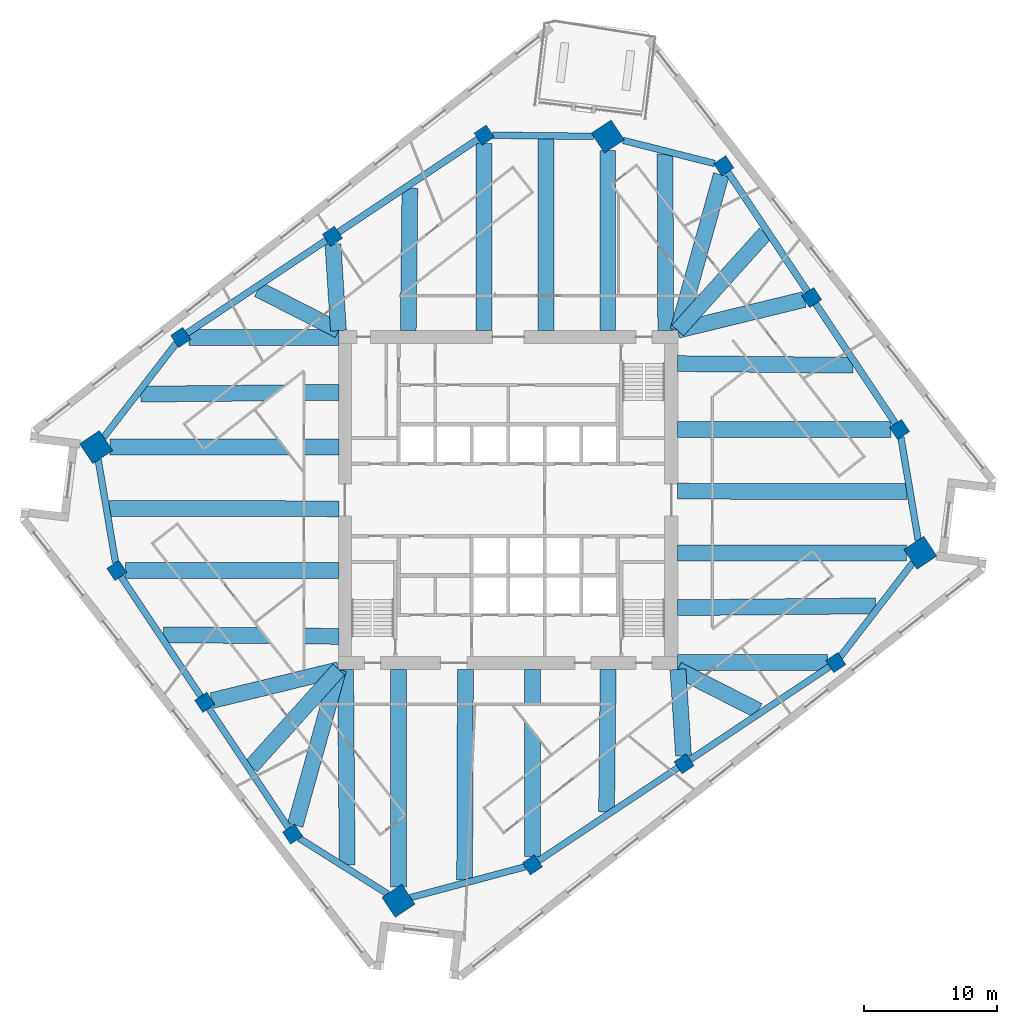
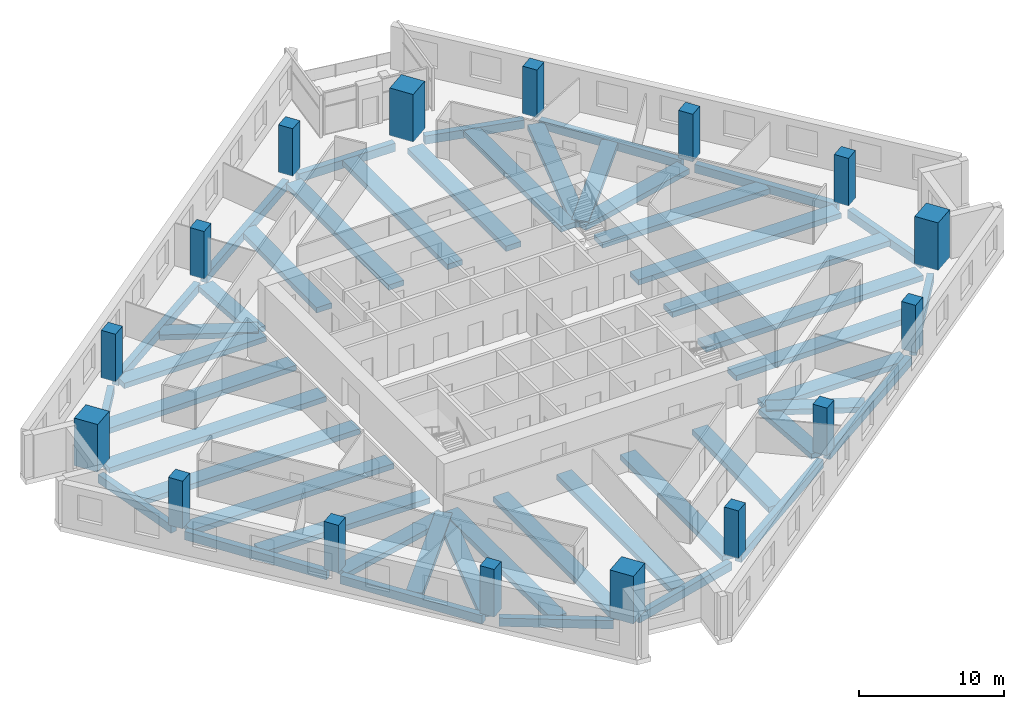
# One storey, part 1 of 11: 48 beams, 16 columns.
"""IFC4 building model written with IfcOpenShell, lengths in metres."""

import ifcopenshell
import ifcopenshell.guid

model = None  # the IFC model being written
_history = None  # IfcOwnerHistory: only IFC2X3 demands one
_inside = {}  # id of a spatial element -> (the spatial element, [elements in it])
_under = {}  # id of a project, library or spatial element -> (it, [spatial elements below it])
_declared = {}  # id of a project -> (the project, [libraries it declares])
_typed = {}  # id of a type object -> (the type object, [elements of that type])
_made_of = {}  # id of a material, layer set ... -> (it, [elements and type objects made of it])


def new_model(schema):
    """Start an empty IFC model of exactly this schema.

    Asked for "IFC4X3", IfcOpenShell would pick the latest addendum, in which some entities
    have other attributes; the version numbers below select the first issue.
    IFC2X3 requires an IfcOwnerHistory on every rooted entity: one is made here for all.
    """
    global model, _history
    if schema == "IFC4X3":
        model = ifcopenshell.file(schema_version=(4, 3, 0, 0))
    else:
        model = ifcopenshell.file(schema=schema)
    _inside.clear()
    _under.clear()
    _declared.clear()
    _typed.clear()
    _made_of.clear()
    _history = None
    if model.schema == "IFC2X3":
        org = make("IfcOrganization", Name="unknown")
        user = make(
            "IfcPersonAndOrganization",
            ThePerson=make("IfcPerson", FamilyName="unknown"),
            TheOrganization=org,
        )
        app = make(
            "IfcApplication",
            ApplicationDeveloper=org,
            Version="unknown",
            ApplicationFullName="unknown",
            ApplicationIdentifier="unknown",
        )
        _history = make(
            "IfcOwnerHistory",
            OwningUser=user,
            OwningApplication=app,
            ChangeAction="ADDED",
            CreationDate=0,
        )
    return model


def make(cls, **values):
    """One entity of the class cls with the attributes given. An attribute that is None is left unset."""
    return model.create_entity(
        cls, **{name: value for name, value in values.items() if value is not None}
    )


def rooted(cls, **values):
    """An entity with a GlobalId (a new one), such as an element, a storey or a relation."""
    return make(cls, GlobalId=ifcopenshell.guid.new(), OwnerHistory=_history, **values)


def si_unit(unit_type, name, prefix=None):
    """IfcSIUnit, for example si_unit("LENGTHUNIT", "METRE", prefix="MILLI")."""
    return make("IfcSIUnit", UnitType=unit_type, Prefix=prefix, Name=name)


def assignment(units):
    """IfcUnitAssignment: the units of a project."""
    return None if units is None else make("IfcUnitAssignment", Units=units)


def point(xyz):
    """IfcCartesianPoint."""
    return None if xyz is None else make("IfcCartesianPoint", Coordinates=xyz)


def direction(xyz):
    """IfcDirection."""
    return None if xyz is None else make("IfcDirection", DirectionRatios=xyz)


def frame(location, z_axis=None, x_axis=None):
    """IfcAxis2Placement3D, a coordinate frame: its origin and axes. An axis left out is left unset."""
    return make(
        "IfcAxis2Placement3D",
        Location=point(location),
        Axis=direction(z_axis),
        RefDirection=direction(x_axis),
    )


def frame_2d(location, x_axis=None):
    """IfcAxis2Placement2D, a coordinate frame in the plane: its origin and x axis."""
    return make(
        "IfcAxis2Placement2D", Location=point(location), RefDirection=direction(x_axis)
    )


def origin():
    """The frame at (0, 0, 0) with its axes left unset."""
    return frame((0.0, 0.0, 0.0))


def origin_2d():
    """The frame at (0, 0) in the plane with its x axis left unset."""
    return frame_2d((0.0, 0.0))


def place(relative_to, where):
    """IfcLocalPlacement: puts the frame where relative to a parent placement (None: the world)."""
    return make(
        "IfcLocalPlacement", PlacementRelTo=relative_to, RelativePlacement=where
    )


def context(
    kind, dimensions, precision=None, world=None, true_north=None, identifier=None
):
    """IfcGeometricRepresentationContext, for example the 3D "Model" context."""
    return make(
        "IfcGeometricRepresentationContext",
        ContextIdentifier=identifier,
        ContextType=kind,
        CoordinateSpaceDimension=dimensions,
        Precision=precision,
        WorldCoordinateSystem=world,
        TrueNorth=true_north,
    )


def subcontext(parent, identifier, kind, view, scale=None):
    """IfcGeometricRepresentationSubContext, for example "Body" below "Model"."""
    return make(
        "IfcGeometricRepresentationSubContext",
        ContextIdentifier=identifier,
        ContextType=kind,
        ParentContext=parent,
        TargetScale=scale,
        TargetView=view,
    )


def project(units=None, contexts=None):
    """IfcProject with its units and contexts."""
    return rooted(
        "IfcProject",
        Name="project",
        RepresentationContexts=contexts,
        UnitsInContext=assignment(units),
    )


def spatial(cls, under=None, at=None, **own):
    """A site, building, storey or space (cls), placed at a placement, below another one or the project."""
    s = rooted(cls, ObjectPlacement=at, **own)
    if under is not None:
        _under.setdefault(under.id(), (under, []))[1].append(s)
    return s


def profile(cls, at=None, kind="AREA", **sizes):
    """A parametric profile (cls). Its sizes go by their IFC names, for example OverallWidth=200.0."""
    return make(cls, ProfileType=kind, Position=at, **sizes)


def rectangle(**sizes):
    """IfcRectangleProfileDef."""
    return profile("IfcRectangleProfileDef", **sizes)


def extrude(swept, where, along, depth):
    """IfcExtrudedAreaSolid: the profile swept, set in the frame where, extruded along a direction by depth."""
    return make(
        "IfcExtrudedAreaSolid",
        SweptArea=swept,
        Position=where,
        ExtrudedDirection=direction(along),
        Depth=depth,
    )


def shape(context_of_items, identifier, shape_type, items):
    """IfcShapeRepresentation: the items that make up one representation, for example the "Body"."""
    return make(
        "IfcShapeRepresentation",
        ContextOfItems=context_of_items,
        RepresentationIdentifier=identifier,
        RepresentationType=shape_type,
        Items=items,
    )


def material(Name=None, Category=None):
    """IfcMaterial."""
    return make("IfcMaterial", Name=Name, Category=Category)


def material_profile(
    of_material, cross_section, Name=None, Category=None, Priority=None
):
    """IfcMaterialProfile: a cross section and its material."""
    return make(
        "IfcMaterialProfile",
        Name=Name,
        Material=of_material,
        Profile=cross_section,
        Priority=Priority,
        Category=Category,
    )


def profile_set(profiles, Name=None, composite=None):
    """IfcMaterialProfileSet."""
    return make(
        "IfcMaterialProfileSet",
        Name=Name,
        MaterialProfiles=profiles,
        CompositeProfile=composite,
    )


def made_of(thing, what):
    """Note that an element or type object is made of a material, layer set ...; save() writes the relation."""
    if what is not None:
        _made_of.setdefault(what.id(), (what, []))[1].append(thing)
    return thing


def type_object(cls, material=None, **own):
    """A type object (cls), such as IfcWallType, which elements share."""
    return made_of(rooted(cls, **own), material)


def element(
    cls,
    number,
    at=None,
    inside=None,
    cuts=None,
    type_object=None,
    material=None,
    context=None,
    identifier="Body",
    shape_type=None,
    held_by="IfcProductDefinitionShape",
    body=None,
    shapes=None,
    **own,
):
    """One element of the class cls, such as IfcWall. Its Tag is "e" and its number.

    at: its placement. inside: the storey or other place that contains it. cuts: it is an
    opening in that element (IfcRelVoidsElement). A single representation is given by context,
    identifier, shape_type and body (its items); several are given by shapes. held_by: the class
    of the entity that holds the representations. save() writes the other relations.
    """
    e = rooted(cls, Tag="e%d" % number, ObjectPlacement=at, **own)
    if body is not None:
        shapes = [shape(context, identifier, shape_type, body)]
    if shapes is not None:
        e.Representation = make(held_by, Representations=shapes)
    if inside is not None:
        _inside.setdefault(inside.id(), (inside, []))[1].append(e)
    if cuts is not None:
        rooted(
            "IfcRelVoidsElement", RelatingBuildingElement=cuts, RelatedOpeningElement=e
        )
    if type_object is not None:
        _typed.setdefault(type_object.id(), (type_object, []))[1].append(e)
    return made_of(e, material)


def aggregate(whole, parts):
    """IfcRelAggregates: a whole, such as a stair, and the parts it consists of."""
    return rooted("IfcRelAggregates", RelatingObject=whole, RelatedObjects=parts)


def save(model, path):
    """Write the relations noted so far, then the file.

    IfcRelAggregates (storeys below a building ...), IfcRelContainedInSpatialStructure (elements
    in a storey), IfcRelDefinesByType, IfcRelAssociatesMaterial and IfcRelDeclares: one each for
    every whole, place, type object, material and project.
    """
    for whole, parts in _under.values():
        aggregate(whole, parts)
    for where, things in _inside.values():
        rooted(
            "IfcRelContainedInSpatialStructure",
            RelatedElements=things,
            RelatingStructure=where,
        )
    for kind, things in _typed.values():
        rooted("IfcRelDefinesByType", RelatedObjects=things, RelatingType=kind)
    for what, things in _made_of.values():
        rooted("IfcRelAssociatesMaterial", RelatedObjects=things, RelatingMaterial=what)
    for by, libraries in _declared.values():
        rooted("IfcRelDeclares", RelatingContext=by, RelatedDefinitions=libraries)
    model.write(path)


model = new_model("IFC4")

# Units and contexts
model_context = context("Model", 3, precision=1e-05, world=origin(), true_north=direction((0.0, 1.0)))
body_context = subcontext(model_context, "Body", "Model", "MODEL_VIEW")
ifc_project = project(units=[si_unit("LENGTHUNIT", "METRE"), si_unit("AREAUNIT", "SQUARE_METRE"), si_unit("VOLUMEUNIT", "CUBIC_METRE"), si_unit("PLANEANGLEUNIT", "RADIAN"), si_unit("MASSUNIT", "GRAM", prefix="KILO")], contexts=[model_context])

# Site, building, storey
site_placement = place(None, origin())
site = spatial("IfcSite", under=ifc_project, at=site_placement, CompositionType="ELEMENT")
building_placement = place(site_placement, origin())
building = spatial("IfcBuilding", under=site, at=building_placement, Name="Dilmun Exchange Tower", CompositionType="ELEMENT")
storey_placement = place(building_placement, frame((0.0, 0.0, 179.699951171875)))
storey = spatial("IfcBuildingStorey", under=building, at=storey_placement, Name="L42", CompositionType="ELEMENT", Elevation=179.699951171875)

# Columns
ifc_material_1 = material(Name="Concrete C60/75", Category="concrete")
ifc_material_profile_1 = material_profile(ifc_material_1, rectangle(XDim=1.800048828125, YDim=1.800048828125, at=origin_2d()), Name="1800 x 1800")
ifc_profile_set_1 = profile_set([ifc_material_profile_1], Name="Concrete C60/75")
column_type_1 = type_object("IfcColumnType", Name="RC mega column 1800 x 1800 C60/75", PredefinedType="COLUMN", material=ifc_profile_set_1)
for number, where, z_axis, x_axis, name in (
    (1, (7.506103515625, 27.409912109375, 0.0), (0.0, 0.0, 1.0), (0.832028680356, 0.55473261583, 0.0), "Mega column M1"),
    (2, (-31.0791015625, 3.98193359375, 0.0), (0.0, 0.0, 1.0), (0.832028680356, 0.55473261583, 0.0), "Mega column M2"),
    (3, (-8.27587890625, -30.220947265625, 0.0), (0.0, 0.0, 1.0), (0.832028680356, 0.55473261583, 0.0), "Mega column M3"),
    (4, (31.0791015625, -3.98193359375, 0.0), (0.0, 0.0, 1.0), (0.832028680356, 0.55473261583, 0.0), "Mega column M4"),
):
    element("IfcColumn", number, at=place(storey_placement, frame(where, z_axis=z_axis, x_axis=x_axis)), inside=storey, type_object=column_type_1, Name=name, PredefinedType="COLUMN", context=body_context, shape_type="SweptSolid", body=[
        extrude(rectangle(XDim=1.800048828125, YDim=1.800048828125, at=origin_2d()), origin(), (0.0, 0.0, 1.0), 4.0),
    ])
ifc_material_profile_2 = material_profile(ifc_material_1, rectangle(XDim=1.10009765625, YDim=1.10009765625, at=origin_2d()), Name="1100 x 1100")
ifc_profile_set_2 = profile_set([ifc_material_profile_2], Name="Concrete C60/75")
column_type_2 = type_object("IfcColumnType", Name="RC ring column 1100 x 1100 C60/75", PredefinedType="COLUMN", material=ifc_profile_set_2)
for number, where, z_axis, x_axis, name in (
    (5, (-1.818115234375, 27.512939453125, 0.0), (0.0, 0.0, 1.0), (0.832028680356, 0.55473261583, 0.0), "Ring column R01"),
    (6, (-13.258056640625, 19.885009765625, 0.0), (0.0, 0.0, 1.0), (0.832028680356, 0.55473261583, 0.0), "Ring column R02"),
    (7, (-24.698974609375, 12.258056640625, 0.0), (0.0, 0.0, 1.0), (0.832028680356, 0.55473261583, 0.0), "Ring column R03"),
    (8, (-29.510009765625, -5.31201171875, 0.0), (0.0, 0.0, 1.0), (0.832028680356, 0.55473261583, 0.0), "Ring column R04"),
    (9, (-22.881103515625, -15.2548828125, 0.0), (0.0, 0.0, 1.0), (0.832028680356, 0.55473261583, 0.0), "Ring column R05"),
    (10, (-16.251953125, -25.197998046875, 0.0), (0.0, 0.0, 1.0), (0.832028680356, 0.55473261583, 0.0), "Ring column R06"),
    (11, (1.818115234375, -27.512939453125, 0.0), (0.0, 0.0, 1.0), (0.832028680356, 0.55473261583, 0.0), "Ring column R07"),
    (12, (13.258056640625, -19.885009765625, 0.0), (0.0, 0.0, 1.0), (0.832028680356, 0.55473261583, 0.0), "Ring column R08"),
    (13, (24.698974609375, -12.258056640625, 0.0), (0.0, 0.0, 1.0), (0.832028680356, 0.55473261583, 0.0), "Ring column R09"),
    (14, (29.510009765625, 5.31201171875, 0.0), (0.0, 0.0, 1.0), (0.832028680356, 0.55473261583, 0.0), "Ring column R10"),
    (15, (22.881103515625, 15.2548828125, 0.0), (0.0, 0.0, 1.0), (0.832028680356, 0.55473261583, 0.0), "Ring column R11"),
    (16, (16.251953125, 25.197998046875, 0.0), (0.0, 0.0, 1.0), (0.832028680356, 0.55473261583, 0.0), "Ring column R12"),
):
    element("IfcColumn", number, at=place(storey_placement, frame(where, z_axis=z_axis, x_axis=x_axis)), inside=storey, type_object=column_type_2, Name=name, PredefinedType="COLUMN", context=body_context, shape_type="SweptSolid", body=[
        extrude(rectangle(XDim=1.10009765625, YDim=1.10009765625, at=origin_2d()), origin(), (0.0, 0.0, 1.0), 4.0),
    ])

# Beams
ifc_material_2 = material(Name="Concrete C40/50", Category="concrete")
ifc_material_profile_3 = material_profile(ifc_material_2, rectangle(XDim=1.199951171875, YDim=0.449951171875, at=origin_2d()), Name="1200 x 450")
ifc_profile_set_3 = profile_set([ifc_material_profile_3], Name="Concrete C40/50")
beam_type_1 = type_object("IfcBeamType", Name="RC band beam 1200 x 450 C40/50", PredefinedType="BEAM", material=ifc_profile_set_3)
beam_1_placement = place(storey_placement, frame((7.506103515625, 26.355224609375, -0.724853515625), z_axis=(0.0, -1.0, 0.0), x_axis=(1.0, 0.0, 0.0)))
element("IfcBeam", 17, at=beam_1_placement, inside=storey, type_object=beam_type_1, Name="Band beam 1", PredefinedType="BEAM", context=body_context, shape_type="SweptSolid", body=[
    extrude(rectangle(XDim=1.199951171875, YDim=0.449951171875, at=origin_2d()), origin(), (0.0, 0.0, 1.0), 13.582275390625),
])
beam_2_placement = place(storey_placement, frame((-1.818115234375, 26.87890625, -0.724853515625), z_axis=(0.0, -1.0, 0.0), x_axis=(1.0, 0.0, 0.0)))
element("IfcBeam", 18, at=beam_2_placement, inside=storey, type_object=beam_type_1, Name="Band beam 2", PredefinedType="BEAM", context=body_context, shape_type="SweptSolid", body=[
    extrude(rectangle(XDim=1.199951171875, YDim=0.449951171875, at=origin_2d()), origin(), (0.0, 0.0, 1.0), 14.10595703125),
])
beam_3_placement = place(storey_placement, frame((-13.21875, 19.2783203125, -0.724853515625), z_axis=(0.064492965824, -0.997918161654, 0.0), x_axis=(0.997918161654, 0.064492965824, 0.0)))
element("IfcBeam", 19, at=beam_3_placement, inside=storey, type_object=beam_type_1, Name="Band beam 3", PredefinedType="BEAM", context=body_context, shape_type="SweptSolid", body=[
    extrude(rectangle(XDim=1.199951171875, YDim=0.449951171875, at=origin_2d()), origin(), (0.0, 0.0, 1.0), 6.518798828125),
])
beam_4_placement = place(storey_placement, frame((-24.06494140625, 12.258056640625, -0.724853515625), z_axis=(1.0, 0.0, 0.0), x_axis=(0.0, 1.0, 0.0)))
element("IfcBeam", 20, at=beam_4_placement, inside=storey, type_object=beam_type_1, Name="Band beam 4", PredefinedType="BEAM", context=body_context, shape_type="SweptSolid", body=[
    extrude(rectangle(XDim=1.199951171875, YDim=0.449951171875, at=origin_2d()), origin(), (0.0, 0.0, 1.0), 11.2919921875),
])
beam_5_placement = place(storey_placement, frame((-30.0244140625, 3.98193359375, -0.724853515625), z_axis=(1.0, 0.0, 0.0), x_axis=(0.0, 1.0, 0.0)))
element("IfcBeam", 21, at=beam_5_placement, inside=storey, type_object=beam_type_1, Name="Band beam 5", PredefinedType="BEAM", context=body_context, shape_type="SweptSolid", body=[
    extrude(rectangle(XDim=1.199951171875, YDim=0.449951171875, at=origin_2d()), origin(), (0.0, 0.0, 1.0), 17.25146484375),
])
beam_6_placement = place(storey_placement, frame((-28.8759765625, -5.31201171875, -0.724853515625), z_axis=(1.0, 0.0, 0.0), x_axis=(0.0, 1.0, 0.0)))
element("IfcBeam", 22, at=beam_6_placement, inside=storey, type_object=beam_type_1, Name="Band beam 6", PredefinedType="BEAM", context=body_context, shape_type="SweptSolid", body=[
    extrude(rectangle(XDim=1.199951171875, YDim=0.449951171875, at=origin_2d()), origin(), (0.0, 0.0, 1.0), 16.10302734375),
])
beam_7_placement = place(storey_placement, frame((-22.33837890625, -15.122802734375, -0.724853515625), z_axis=(0.971607999859, 0.236596480554, 0.0), x_axis=(-0.236596480554, 0.971607999859, 0.0)))
element("IfcBeam", 23, at=beam_7_placement, inside=storey, type_object=beam_type_1, Name="Band beam 7", PredefinedType="BEAM", context=body_context, shape_type="SweptSolid", body=[
    extrude(rectangle(XDim=1.199951171875, YDim=0.449951171875, at=origin_2d()), origin(), (0.0, 0.0, 1.0), 9.84423828125),
])
beam_8_placement = place(storey_placement, frame((-16.064453125, -24.524658203125, -0.724853515625), z_axis=(0.268225004284, 0.963356292904, 0.0), x_axis=(-0.963356292904, 0.268225004284, 0.0)))
element("IfcBeam", 24, at=beam_8_placement, inside=storey, type_object=beam_type_1, Name="Band beam 8", PredefinedType="BEAM", context=body_context, shape_type="SweptSolid", body=[
    extrude(rectangle(XDim=1.199951171875, YDim=0.449951171875, at=origin_2d()), origin(), (0.0, 0.0, 1.0), 12.19775390625),
])
beam_9_placement = place(storey_placement, frame((-8.27587890625, -29.166259765625, -0.724853515625), z_axis=(0.0, 1.0, 0.0), x_axis=(-1.0, 0.0, 0.0)))
element("IfcBeam", 25, at=beam_9_placement, inside=storey, type_object=beam_type_1, Name="Band beam 9", PredefinedType="BEAM", context=body_context, shape_type="SweptSolid", body=[
    extrude(rectangle(XDim=1.199951171875, YDim=0.449951171875, at=origin_2d()), origin(), (0.0, 0.0, 1.0), 16.393310546875),
])
beam_10_placement = place(storey_placement, frame((1.818115234375, -26.87890625, -0.724853515625), z_axis=(0.0, 1.0, 0.0), x_axis=(-1.0, 0.0, 0.0)))
element("IfcBeam", 26, at=beam_10_placement, inside=storey, type_object=beam_type_1, Name="Band beam 10", PredefinedType="BEAM", context=body_context, shape_type="SweptSolid", body=[
    extrude(rectangle(XDim=1.199951171875, YDim=0.449951171875, at=origin_2d()), origin(), (0.0, 0.0, 1.0), 14.10595703125),
])
beam_11_placement = place(storey_placement, frame((13.21875, -19.2783203125, -0.724853515625), z_axis=(-0.064492965824, 0.997918161654, 0.0), x_axis=(-0.997918161654, -0.064492965824, 0.0)))
element("IfcBeam", 27, at=beam_11_placement, inside=storey, type_object=beam_type_1, Name="Band beam 11", PredefinedType="BEAM", context=body_context, shape_type="SweptSolid", body=[
    extrude(rectangle(XDim=1.199951171875, YDim=0.449951171875, at=origin_2d()), origin(), (0.0, 0.0, 1.0), 6.518798828125),
])
beam_12_placement = place(storey_placement, frame((24.06494140625, -12.258056640625, -0.724853515625), z_axis=(-1.0, 0.0, 0.0), x_axis=(0.0, -1.0, 0.0)))
element("IfcBeam", 28, at=beam_12_placement, inside=storey, type_object=beam_type_1, Name="Band beam 12", PredefinedType="BEAM", context=body_context, shape_type="SweptSolid", body=[
    extrude(rectangle(XDim=1.199951171875, YDim=0.449951171875, at=origin_2d()), origin(), (0.0, 0.0, 1.0), 11.2919921875),
])
beam_13_placement = place(storey_placement, frame((30.0244140625, -3.98193359375, -0.724853515625), z_axis=(-1.0, 0.0, 0.0), x_axis=(0.0, -1.0, 0.0)))
element("IfcBeam", 29, at=beam_13_placement, inside=storey, type_object=beam_type_1, Name="Band beam 13", PredefinedType="BEAM", context=body_context, shape_type="SweptSolid", body=[
    extrude(rectangle(XDim=1.199951171875, YDim=0.449951171875, at=origin_2d()), origin(), (0.0, 0.0, 1.0), 17.25146484375),
])
beam_14_placement = place(storey_placement, frame((28.8759765625, 5.31201171875, -0.724853515625), z_axis=(-1.0, 0.0, 0.0), x_axis=(0.0, -1.0, 0.0)))
element("IfcBeam", 30, at=beam_14_placement, inside=storey, type_object=beam_type_1, Name="Band beam 14", PredefinedType="BEAM", context=body_context, shape_type="SweptSolid", body=[
    extrude(rectangle(XDim=1.199951171875, YDim=0.449951171875, at=origin_2d()), origin(), (0.0, 0.0, 1.0), 16.10302734375),
])
beam_15_placement = place(storey_placement, frame((22.33837890625, 15.122802734375, -0.724853515625), z_axis=(-0.971607999859, -0.236596480554, 0.0), x_axis=(0.236596480554, -0.971607999859, 0.0)))
element("IfcBeam", 31, at=beam_15_placement, inside=storey, type_object=beam_type_1, Name="Band beam 15", PredefinedType="BEAM", context=body_context, shape_type="SweptSolid", body=[
    extrude(rectangle(XDim=1.199951171875, YDim=0.449951171875, at=origin_2d()), origin(), (0.0, 0.0, 1.0), 9.84423828125),
])
beam_16_placement = place(storey_placement, frame((16.064453125, 24.524658203125, -0.724853515625), z_axis=(-0.268225004284, -0.963356292904, 0.0), x_axis=(0.963356292904, -0.268225004284, 0.0)))
element("IfcBeam", 32, at=beam_16_placement, inside=storey, type_object=beam_type_1, Name="Band beam 16", PredefinedType="BEAM", context=body_context, shape_type="SweptSolid", body=[
    extrude(rectangle(XDim=1.199951171875, YDim=0.449951171875, at=origin_2d()), origin(), (0.0, 0.0, 1.0), 12.19775390625),
])
beam_17_placement = place(storey_placement, frame((2.841552734375, 27.238525390625, -0.625), z_axis=(0.00016877352, -0.999999985758, 0.0), x_axis=(0.999999985758, 0.00016877352, 0.0)))
element("IfcBeam", 33, at=beam_17_placement, inside=storey, type_object=beam_type_1, Name="Band beam 17", PredefinedType="BEAM", context=body_context, shape_type="SweptSolid", body=[
    extrude(rectangle(XDim=1.199951171875, YDim=0.449951171875, at=origin_2d()), origin(), (0.0, 0.0, 1.0), 14.465576171875),
])
beam_18_placement = place(storey_placement, frame((-7.414306640625, 23.513427734375, -0.625), z_axis=(-0.011523795482, -0.999933598864, 0.0), x_axis=(0.999933598864, -0.011523795482, 0.0)))
element("IfcBeam", 34, at=beam_18_placement, inside=storey, type_object=beam_type_1, Name="Band beam 18", PredefinedType="BEAM", context=body_context, shape_type="SweptSolid", body=[
    extrude(rectangle(XDim=1.199951171875, YDim=0.449951171875, at=origin_2d()), origin(), (0.0, 0.0, 1.0), 10.7412109375),
])
beam_19_placement = place(storey_placement, frame((-18.854736328125, 15.885986328125, -0.625), z_axis=(0.890922045004, -0.454156261354, 0.0), x_axis=(0.454156261354, 0.890922045004, 0.0)))
element("IfcBeam", 35, at=beam_19_placement, inside=storey, type_object=beam_type_1, Name="Band beam 19", PredefinedType="BEAM", context=body_context, shape_type="SweptSolid", body=[
    extrude(rectangle(XDim=1.199951171875, YDim=0.449951171875, at=origin_2d()), origin(), (0.0, 0.0, 1.0), 6.82275390625),
])
beam_20_placement = place(storey_placement, frame((-27.71240234375, 7.98388671875, -0.625), z_axis=(0.99995842598, 0.009118459957, 0.0), x_axis=(-0.009118459957, 0.99995842598, 0.0)))
element("IfcBeam", 36, at=beam_20_placement, inside=storey, type_object=beam_type_1, Name="Band beam 20", PredefinedType="BEAM", context=body_context, shape_type="SweptSolid", body=[
    extrude(rectangle(XDim=1.199951171875, YDim=0.449951171875, at=origin_2d()), origin(), (0.0, 0.0, 1.0), 14.940185546875),
])
beam_21_placement = place(storey_placement, frame((-30.07470703125, -0.6279296875, -0.625), z_axis=(0.999997699854, -0.002144827713, 0.0), x_axis=(0.002144827713, 0.999997699854, 0.0)))
element("IfcBeam", 37, at=beam_21_placement, inside=storey, type_object=beam_type_1, Name="Band beam 21", PredefinedType="BEAM", context=body_context, shape_type="SweptSolid", body=[
    extrude(rectangle(XDim=1.199951171875, YDim=0.449951171875, at=origin_2d()), origin(), (0.0, 0.0, 1.0), 17.3017578125),
])
beam_22_placement = place(storey_placement, frame((-26.010009765625, -10.159912109375, -0.625), z_axis=(0.999956454863, -0.009332115424, 0.0), x_axis=(0.009332115424, 0.999956454863, 0.0)))
element("IfcBeam", 38, at=beam_22_placement, inside=storey, type_object=beam_type_1, Name="Band beam 22", PredefinedType="BEAM", context=body_context, shape_type="SweptSolid", body=[
    extrude(rectangle(XDim=1.199951171875, YDim=0.449951171875, at=origin_2d()), origin(), (0.0, 0.0, 1.0), 13.237548828125),
])
beam_23_placement = place(storey_placement, frame((-19.381103515625, -20.102783203125, -0.625), z_axis=(0.669462647611, 0.742845719819, 0.0), x_axis=(-0.742845719819, 0.669462647611, 0.0)))
element("IfcBeam", 39, at=beam_23_placement, inside=storey, type_object=beam_type_1, Name="Band beam 23", PredefinedType="BEAM", context=body_context, shape_type="SweptSolid", body=[
    extrude(rectangle(XDim=1.199951171875, YDim=0.449951171875, at=origin_2d()), origin(), (0.0, 0.0, 1.0), 9.857666015625),
])
beam_24_placement = place(storey_placement, frame((-12.145263671875, -27.520751953125, -0.625), z_axis=(-0.008045164826, 0.999967637138, 0.0), x_axis=(-0.999967637138, -0.008045164826, 0.0)))
element("IfcBeam", 40, at=beam_24_placement, inside=storey, type_object=beam_type_1, Name="Band beam 24", PredefinedType="BEAM", context=body_context, shape_type="SweptSolid", body=[
    extrude(rectangle(XDim=1.199951171875, YDim=0.449951171875, at=origin_2d()), origin(), (0.0, 0.0, 1.0), 14.748291015625),
])
beam_25_placement = place(storey_placement, frame((-3.286865234375, -28.651611328125, -0.625), z_axis=(0.003643943273, 0.999993360817, 0.0), x_axis=(-0.999993360817, 0.003643943273, 0.0)))
element("IfcBeam", 41, at=beam_25_placement, inside=storey, type_object=beam_type_1, Name="Band beam 25", PredefinedType="BEAM", context=body_context, shape_type="SweptSolid", body=[
    extrude(rectangle(XDim=1.199951171875, YDim=0.449951171875, at=origin_2d()), origin(), (0.0, 0.0, 1.0), 15.878662109375),
])
beam_26_placement = place(storey_placement, frame((7.414306640625, -23.513427734375, -0.625), z_axis=(0.011523795482, 0.999933598864, 0.0), x_axis=(-0.999933598864, 0.011523795482, 0.0)))
element("IfcBeam", 42, at=beam_26_placement, inside=storey, type_object=beam_type_1, Name="Band beam 26", PredefinedType="BEAM", context=body_context, shape_type="SweptSolid", body=[
    extrude(rectangle(XDim=1.199951171875, YDim=0.449951171875, at=origin_2d()), origin(), (0.0, 0.0, 1.0), 10.7412109375),
])
beam_27_placement = place(storey_placement, frame((18.854736328125, -15.885986328125, -0.625), z_axis=(-0.890922045004, 0.454156261354, 0.0), x_axis=(-0.454156261354, -0.890922045004, 0.0)))
element("IfcBeam", 43, at=beam_27_placement, inside=storey, type_object=beam_type_1, Name="Band beam 27", PredefinedType="BEAM", context=body_context, shape_type="SweptSolid", body=[
    extrude(rectangle(XDim=1.199951171875, YDim=0.449951171875, at=origin_2d()), origin(), (0.0, 0.0, 1.0), 6.82275390625),
])
beam_28_placement = place(storey_placement, frame((27.71240234375, -7.98388671875, -0.625), z_axis=(-0.99995842598, -0.009118459957, 0.0), x_axis=(0.009118459957, -0.99995842598, 0.0)))
element("IfcBeam", 44, at=beam_28_placement, inside=storey, type_object=beam_type_1, Name="Band beam 28", PredefinedType="BEAM", context=body_context, shape_type="SweptSolid", body=[
    extrude(rectangle(XDim=1.199951171875, YDim=0.449951171875, at=origin_2d()), origin(), (0.0, 0.0, 1.0), 14.940185546875),
])
beam_29_placement = place(storey_placement, frame((30.07470703125, 0.6279296875, -0.625), z_axis=(-0.999997699854, 0.002144827713, 0.0), x_axis=(-0.002144827713, -0.999997699854, 0.0)))
element("IfcBeam", 45, at=beam_29_placement, inside=storey, type_object=beam_type_1, Name="Band beam 29", PredefinedType="BEAM", context=body_context, shape_type="SweptSolid", body=[
    extrude(rectangle(XDim=1.199951171875, YDim=0.449951171875, at=origin_2d()), origin(), (0.0, 0.0, 1.0), 17.3017578125),
])
beam_30_placement = place(storey_placement, frame((26.010009765625, 10.159912109375, -0.625), z_axis=(-0.999956454863, 0.009332115424, 0.0), x_axis=(-0.009332115424, -0.999956454863, 0.0)))
element("IfcBeam", 46, at=beam_30_placement, inside=storey, type_object=beam_type_1, Name="Band beam 30", PredefinedType="BEAM", context=body_context, shape_type="SweptSolid", body=[
    extrude(rectangle(XDim=1.199951171875, YDim=0.449951171875, at=origin_2d()), origin(), (0.0, 0.0, 1.0), 13.237548828125),
])
beam_31_placement = place(storey_placement, frame((19.381103515625, 20.102783203125, -0.625), z_axis=(-0.669462647611, -0.742845719819, 0.0), x_axis=(0.742845719819, -0.669462647611, 0.0)))
element("IfcBeam", 47, at=beam_31_placement, inside=storey, type_object=beam_type_1, Name="Band beam 31", PredefinedType="BEAM", context=body_context, shape_type="SweptSolid", body=[
    extrude(rectangle(XDim=1.199951171875, YDim=0.449951171875, at=origin_2d()), origin(), (0.0, 0.0, 1.0), 9.857666015625),
])
beam_32_placement = place(storey_placement, frame((11.82421875, 26.087890625, -0.625), z_axis=(0.004107193345, -0.999991565446, 0.0), x_axis=(0.999991565446, 0.004107193345, 0.0)))
element("IfcBeam", 48, at=beam_32_placement, inside=storey, type_object=beam_type_1, Name="Band beam 32", PredefinedType="BEAM", context=body_context, shape_type="SweptSolid", body=[
    extrude(rectangle(XDim=1.199951171875, YDim=0.449951171875, at=origin_2d()), origin(), (0.0, 0.0, 1.0), 13.31494140625),
])
ifc_material_profile_4 = material_profile(ifc_material_2, rectangle(XDim=0.5, YDim=0.699951171875, at=origin_2d()), Name="500 x 700")
ifc_profile_set_4 = profile_set([ifc_material_profile_4], Name="Concrete C40/50")
beam_type_2 = type_object("IfcBeamType", Name="RC ring beam 500 x 700 C40/50", PredefinedType="SPANDREL", material=ifc_profile_set_4)
beam_33_placement = place(storey_placement, frame((6.443359375, 27.421630859375, -0.75), z_axis=(-0.999938955437, 0.011049226175, 0.0), x_axis=(-0.011049226175, -0.999938955437, 0.0)))
element("IfcBeam", 49, at=beam_33_placement, inside=storey, type_object=beam_type_2, Name="Ring beam 1", PredefinedType="SPANDREL", context=body_context, shape_type="SweptSolid", body=[
    extrude(rectangle(XDim=0.5, YDim=0.699951171875, at=origin_2d()), origin(), (0.0, 0.0, 1.0), 7.623046875),
])
beam_34_placement = place(storey_placement, frame((-2.253173828125, 27.222900390625, -0.75), z_axis=(-0.832002986666, -0.554771151177, 0.0), x_axis=(0.554771151177, -0.832002986666, 0.0)))
element("IfcBeam", 50, at=beam_34_placement, inside=storey, type_object=beam_type_2, Name="Ring beam 2", PredefinedType="SPANDREL", context=body_context, shape_type="SweptSolid", body=[
    extrude(rectangle(XDim=0.5, YDim=0.699951171875, at=origin_2d()), origin(), (0.0, 0.0, 1.0), 12.7041015625),
])
beam_35_placement = place(storey_placement, frame((-13.693115234375, 19.594970703125, -0.75), z_axis=(-0.832062120058, -0.554682457235, 0.0), x_axis=(0.554682457235, -0.832062120058, 0.0)))
element("IfcBeam", 51, at=beam_35_placement, inside=storey, type_object=beam_type_2, Name="Ring beam 3", PredefinedType="SPANDREL", context=body_context, shape_type="SweptSolid", body=[
    extrude(rectangle(XDim=0.5, YDim=0.699951171875, at=origin_2d()), origin(), (0.0, 0.0, 1.0), 12.704345703125),
])
beam_36_placement = place(storey_placement, frame((-25.037109375, 11.819580078125, -0.75), z_axis=(-0.610521727247, -0.791999507929, 0.0), x_axis=(0.791999507929, -0.610521727247, 0.0)))
element("IfcBeam", 52, at=beam_36_placement, inside=storey, type_object=beam_type_2, Name="Ring beam 4", PredefinedType="SPANDREL", context=body_context, shape_type="SweptSolid", body=[
    extrude(rectangle(XDim=0.5, YDim=0.699951171875, at=origin_2d()), origin(), (0.0, 0.0, 1.0), 8.97314453125),
])
beam_37_placement = place(storey_placement, frame((-30.91943359375, 3.036376953125, -0.75), z_axis=(0.166485785433, -0.986043854628, 0.0), x_axis=(0.986043854628, 0.166485785433, 0.0)))
element("IfcBeam", 53, at=beam_37_placement, inside=storey, type_object=beam_type_2, Name="Ring beam 5", PredefinedType="SPANDREL", context=body_context, shape_type="SweptSolid", body=[
    extrude(rectangle(XDim=0.5, YDim=0.699951171875, at=origin_2d()), origin(), (0.0, 0.0, 1.0), 7.890869140625),
])
for number, where, z_axis, x_axis, name in (
    (54, (-29.219970703125, -5.747314453125, -0.75), (0.554731197186, -0.832029626196, 0.0), (0.832029626196, 0.554731197186, 0.0), "Ring beam 6"),
    (55, (-22.5908203125, -15.690185546875, -0.75), (0.554731197186, -0.832029626196, 0.0), (0.832029626196, 0.554731197186, 0.0), "Ring beam 7"),
):
    element("IfcBeam", number, at=place(storey_placement, frame(where, z_axis=z_axis, x_axis=x_axis)), inside=storey, type_object=beam_type_2, Name=name, PredefinedType="SPANDREL", context=body_context, shape_type="SweptSolid", body=[
        extrude(rectangle(XDim=0.5, YDim=0.699951171875, at=origin_2d()), origin(), (0.0, 0.0, 1.0), 10.904052734375),
    ])
beam_38_placement = place(storey_placement, frame((-15.764892578125, -25.504638671875, -0.75), z_axis=(0.846177038183, -0.532901885953, 0.0), x_axis=(0.532901885953, 0.846177038183, 0.0)))
element("IfcBeam", 56, at=beam_38_placement, inside=storey, type_object=beam_type_2, Name="Ring beam 8", PredefinedType="SPANDREL", context=body_context, shape_type="SweptSolid", body=[
    extrude(rectangle(XDim=0.5, YDim=0.699951171875, at=origin_2d()), origin(), (0.0, 0.0, 1.0), 7.891357421875),
])
beam_39_placement = place(storey_placement, frame((-7.384521484375, -29.981689453125, -0.75), z_axis=(0.965850974034, 0.259098236113, 0.0), x_axis=(-0.259098236113, 0.965850974034, 0.0)))
element("IfcBeam", 57, at=beam_39_placement, inside=storey, type_object=beam_type_2, Name="Ring beam 9", PredefinedType="SPANDREL", context=body_context, shape_type="SweptSolid", body=[
    extrude(rectangle(XDim=0.5, YDim=0.699951171875, at=origin_2d()), origin(), (0.0, 0.0, 1.0), 8.97412109375),
])
beam_40_placement = place(storey_placement, frame((2.253173828125, -27.222900390625, -0.75), z_axis=(0.832002986666, 0.554771151177, 0.0), x_axis=(-0.554771151177, 0.832002986666, 0.0)))
element("IfcBeam", 58, at=beam_40_placement, inside=storey, type_object=beam_type_2, Name="Ring beam 10", PredefinedType="SPANDREL", context=body_context, shape_type="SweptSolid", body=[
    extrude(rectangle(XDim=0.5, YDim=0.699951171875, at=origin_2d()), origin(), (0.0, 0.0, 1.0), 12.7041015625),
])
beam_41_placement = place(storey_placement, frame((13.693115234375, -19.594970703125, -0.75), z_axis=(0.832062120058, 0.554682457235, 0.0), x_axis=(-0.554682457235, 0.832062120058, 0.0)))
element("IfcBeam", 59, at=beam_41_placement, inside=storey, type_object=beam_type_2, Name="Ring beam 11", PredefinedType="SPANDREL", context=body_context, shape_type="SweptSolid", body=[
    extrude(rectangle(XDim=0.5, YDim=0.699951171875, at=origin_2d()), origin(), (0.0, 0.0, 1.0), 12.704345703125),
])
beam_42_placement = place(storey_placement, frame((25.037109375, -11.819580078125, -0.75), z_axis=(0.610521727247, 0.791999507929, 0.0), x_axis=(-0.791999507929, 0.610521727247, 0.0)))
element("IfcBeam", 60, at=beam_42_placement, inside=storey, type_object=beam_type_2, Name="Ring beam 12", PredefinedType="SPANDREL", context=body_context, shape_type="SweptSolid", body=[
    extrude(rectangle(XDim=0.5, YDim=0.699951171875, at=origin_2d()), origin(), (0.0, 0.0, 1.0), 8.97314453125),
])
beam_43_placement = place(storey_placement, frame((30.91943359375, -3.036376953125, -0.75), z_axis=(-0.166485785433, 0.986043854628, 0.0), x_axis=(-0.986043854628, -0.166485785433, 0.0)))
element("IfcBeam", 61, at=beam_43_placement, inside=storey, type_object=beam_type_2, Name="Ring beam 13", PredefinedType="SPANDREL", context=body_context, shape_type="SweptSolid", body=[
    extrude(rectangle(XDim=0.5, YDim=0.699951171875, at=origin_2d()), origin(), (0.0, 0.0, 1.0), 7.890869140625),
])
for number, where, z_axis, x_axis, name in (
    (62, (29.219970703125, 5.747314453125, -0.75), (-0.554731197186, 0.832029626196, 0.0), (-0.832029626196, -0.554731197186, 0.0), "Ring beam 14"),
    (63, (22.5908203125, 15.690185546875, -0.75), (-0.554731197186, 0.832029626196, 0.0), (-0.832029626196, -0.554731197186, 0.0), "Ring beam 15"),
):
    element("IfcBeam", number, at=place(storey_placement, frame(where, z_axis=z_axis, x_axis=x_axis)), inside=storey, type_object=beam_type_2, Name=name, PredefinedType="SPANDREL", context=body_context, shape_type="SweptSolid", body=[
        extrude(rectangle(XDim=0.5, YDim=0.699951171875, at=origin_2d()), origin(), (0.0, 0.0, 1.0), 10.904052734375),
    ])
beam_44_placement = place(storey_placement, frame((15.559326171875, 25.373291015625, -0.75), z_axis=(-0.96947736899, 0.245180812903, 0.0), x_axis=(-0.245180812903, -0.96947736899, 0.0)))
element("IfcBeam", 64, at=beam_44_placement, inside=storey, type_object=beam_type_2, Name="Ring beam 16", PredefinedType="SPANDREL", context=body_context, shape_type="SweptSolid", body=[
    extrude(rectangle(XDim=0.5, YDim=0.699951171875, at=origin_2d()), origin(), (0.0, 0.0, 1.0), 7.12060546875),
])

save(model, "model.ifc")
